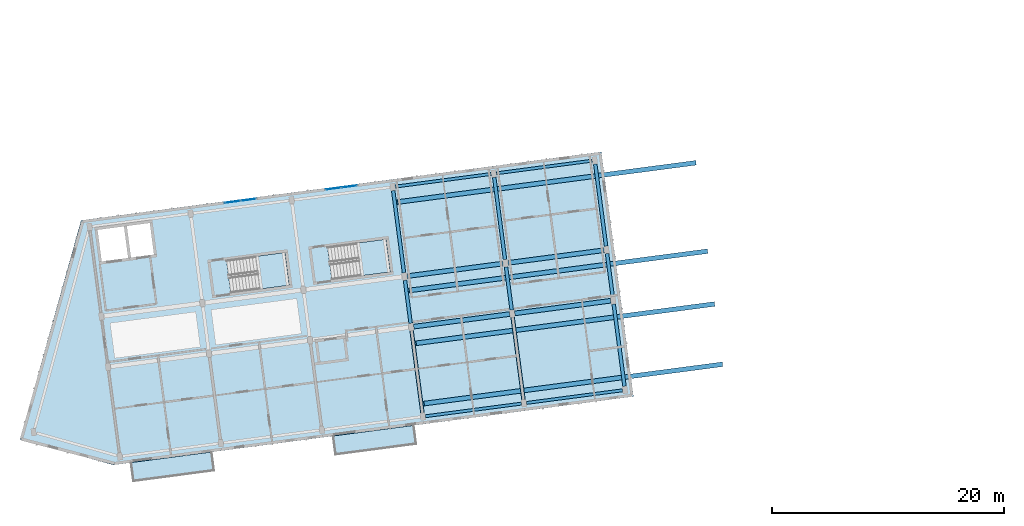
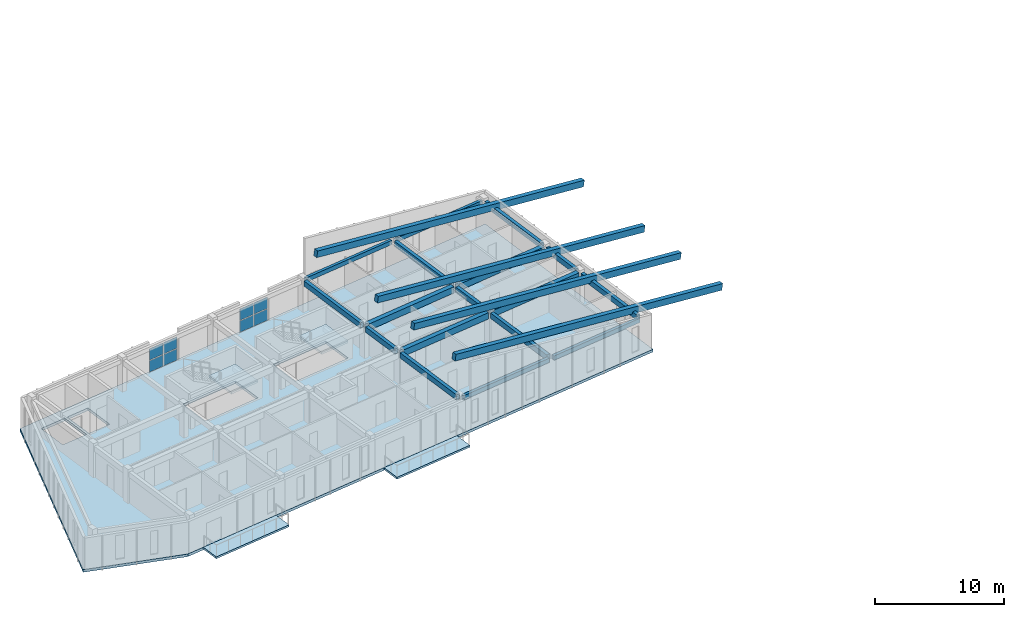
# One storey, part 4 of 16: 21 beams, 8 plates, 5 slabs, 4 elements without a shape of their own.
"""IFC4 building model written with IfcOpenShell, lengths in metres."""

from ifc_helpers import new_model, si_unit, direction, frame, origin, origin_2d, place, context, subcontext, project, spatial, polyline, rectangle, outline, extrude, material, layer, layer_set, material_profile, profile_set, type_object, element, aggregate, save


model = new_model("IFC4")

# Units and contexts
model_context = context("Model", 3, precision=1e-05, world=origin(), true_north=direction((0.0, 1.0)))
body_context = subcontext(model_context, "Body", "Model", "MODEL_VIEW")
ifc_project = project(units=[si_unit("LENGTHUNIT", "METRE"), si_unit("AREAUNIT", "SQUARE_METRE"), si_unit("VOLUMEUNIT", "CUBIC_METRE"), si_unit("PLANEANGLEUNIT", "RADIAN"), si_unit("MASSUNIT", "GRAM", prefix="KILO")], contexts=[model_context])

# Site, building, storey
site_placement = place(None, origin())
site = spatial("IfcSite", under=ifc_project, at=site_placement, CompositionType="ELEMENT")
building_placement = place(site_placement, origin())
building = spatial("IfcBuilding", under=site, at=building_placement, Name="Kestramere Prow Commons", CompositionType="ELEMENT")
storey_placement = place(building_placement, frame((0.0, 0.0, 40.89990234375)))
storey = spatial("IfcBuildingStorey", under=building, at=storey_placement, Name="L12", CompositionType="ELEMENT", Elevation=40.89990234375)

# Beams
ifc_material_1 = material(Name="Precast concrete C40/50", Category="concrete")
ifc_material_profile_1 = material_profile(ifc_material_1, rectangle(XDim=0.39990234375, YDim=0.60009765625, at=origin_2d()), Name="PC-BM 400x600")
ifc_profile_set_1 = profile_set([ifc_material_profile_1], Name="Precast concrete C40/50")
beam_type_1 = type_object("IfcBeamType", Name="BM-A1 PC-BM 400x600", PredefinedType="BEAM", material=ifc_profile_set_1)
for number, where, z_axis, x_axis, name in (
    (1, (36.5791015625, 83.20849609375, 2.7001953125), (0.991445635283, 0.13052031366, 0.0), (-0.13052031366, 0.991445635283, 0.0), "Block A L12 Longitudinal Beam 2-4"),
    (2, (45.3037109375, 84.357177734375, 2.7001953125), (0.991445635283, 0.13052031366, 0.0), (-0.13052031366, 0.991445635283, 0.0), "Block A L12 Longitudinal Beam 2-5"),
    (3, (36.0048828125, 87.57080078125, 2.7001953125), (0.991441851318, 0.130549053825, 0.0), (-0.130549053825, 0.991441851318, 0.0), "Block A L12 Longitudinal Beam 3-4"),
    (4, (44.7294921875, 88.719482421875, 2.7001953125), (0.991445635283, 0.13052031366, 0.0), (-0.13052031366, 0.991445635283, 0.0), "Block A L12 Longitudinal Beam 3-5"),
):
    element("IfcBeam", number, at=place(storey_placement, frame(where, z_axis=z_axis, x_axis=x_axis)), inside=storey, type_object=beam_type_1, Name=name, PredefinedType="BEAM", context=body_context, shape_type="SweptSolid", body=[
        extrude(rectangle(XDim=0.39990234375, YDim=0.60009765625, at=origin_2d()), origin(), (0.0, 0.0, 1.0), 8.35009765625),
    ])
ifc_material_profile_2 = material_profile(ifc_material_1, rectangle(XDim=0.300048828125, YDim=0.5, at=origin_2d()), Name="PC-BM 300x500")
ifc_profile_set_2 = profile_set([ifc_material_profile_2], Name="Precast concrete C40/50")
beam_type_2 = type_object("IfcBeamType", Name="BM-TIE-01 PC-BM 300x500", PredefinedType="BEAM", material=ifc_profile_set_2)
beam_1_placement = place(storey_placement, frame((37.331787109375, 75.76806640625, 2.75), z_axis=(-0.130537539388, 0.991443367425, 0.0), x_axis=(-0.991443367425, -0.130537539388, 0.0)))
element("IfcBeam", 5, at=beam_1_placement, inside=storey, type_object=beam_type_2, Name="Block A L12 Transverse Beam 4-1", PredefinedType="BEAM", context=body_context, shape_type="SweptSolid", body=[
    extrude(rectangle(XDim=0.300048828125, YDim=0.5, at=origin_2d()), origin(), (0.0, 0.0, 1.0), 7.150146484375),
])
beam_2_placement = place(storey_placement, frame((36.313720703125, 83.50146484375, 2.75), z_axis=(-0.130538720766, 0.991443211879, 0.0), x_axis=(-0.991443211879, -0.130538720766, 0.0)))
element("IfcBeam", 6, at=beam_2_placement, inside=storey, type_object=beam_type_2, Name="Block A L12 Transverse Beam 4-2", PredefinedType="BEAM", context=body_context, shape_type="SweptSolid", body=[
    extrude(rectangle(XDim=0.300048828125, YDim=0.5, at=origin_2d()), origin(), (0.0, 0.0, 1.0), 3.749755859375),
])
for number, where, z_axis, x_axis, name in (
    (7, (35.7392578125, 87.86376953125, 2.75), (-0.130503975686, 0.991447785983, 0.0), (-0.991447785983, -0.130503975686, 0.0), "Block A L12 Transverse Beam 4-3"),
    (8, (46.056396484375, 76.916748046875, 2.75), (-0.130503975686, 0.991447785983, 0.0), (-0.991447785983, -0.130503975686, 0.0), "Block A L12 Transverse Beam 5-1"),
):
    element("IfcBeam", number, at=place(storey_placement, frame(where, z_axis=z_axis, x_axis=x_axis)), inside=storey, type_object=beam_type_2, Name=name, PredefinedType="BEAM", context=body_context, shape_type="SweptSolid", body=[
        extrude(rectangle(XDim=0.300048828125, YDim=0.5, at=origin_2d()), origin(), (0.0, 0.0, 1.0), 7.14990234375),
    ])
beam_3_placement = place(storey_placement, frame((45.038330078125, 84.64990234375, 2.75), z_axis=(-0.130530295097, 0.991444321211, 0.0), x_axis=(-0.991444321211, -0.130530295097, 0.0)))
element("IfcBeam", 9, at=beam_3_placement, inside=storey, type_object=beam_type_2, Name="Block A L12 Transverse Beam 5-2", PredefinedType="BEAM", context=body_context, shape_type="SweptSolid", body=[
    extrude(rectangle(XDim=0.300048828125, YDim=0.5, at=origin_2d()), origin(), (0.0, 0.0, 1.0), 3.75),
])
for number, where, z_axis, x_axis, name in (
    (10, (44.464111328125, 89.012451171875, 2.75), (-0.130537539388, 0.991443367425, 0.0), (-0.991443367425, -0.130537539388, 0.0), "Block A L12 Transverse Beam 5-3"),
    (11, (54.78125, 78.0654296875, 2.75), (-0.130537539388, 0.991443367425, 0.0), (-0.991443367425, -0.130537539388, 0.0), "Block A L12 Transverse Beam 6-1"),
):
    element("IfcBeam", number, at=place(storey_placement, frame(where, z_axis=z_axis, x_axis=x_axis)), inside=storey, type_object=beam_type_2, Name=name, PredefinedType="BEAM", context=body_context, shape_type="SweptSolid", body=[
        extrude(rectangle(XDim=0.300048828125, YDim=0.5, at=origin_2d()), origin(), (0.0, 0.0, 1.0), 7.150146484375),
    ])
beam_4_placement = place(storey_placement, frame((53.762939453125, 85.798583984375, 2.75), z_axis=(-0.130466301114, 0.991452744347, 0.0), x_axis=(-0.991452744347, -0.130466301114, 0.0)))
element("IfcBeam", 12, at=beam_4_placement, inside=storey, type_object=beam_type_2, Name="Block A L12 Transverse Beam 6-2", PredefinedType="BEAM", context=body_context, shape_type="SweptSolid", body=[
    extrude(rectangle(XDim=0.300048828125, YDim=0.5, at=origin_2d()), origin(), (0.0, 0.0, 1.0), 3.75),
])
beam_5_placement = place(storey_placement, frame((53.188720703125, 90.160888671875, 2.75), z_axis=(-0.130537539388, 0.991443367425, 0.0), x_axis=(-0.991443367425, -0.130537539388, 0.0)))
element("IfcBeam", 13, at=beam_5_placement, inside=storey, type_object=beam_type_2, Name="Block A L12 Transverse Beam 6-3", PredefinedType="BEAM", context=body_context, shape_type="SweptSolid", body=[
    extrude(rectangle(XDim=0.300048828125, YDim=0.5, at=origin_2d()), origin(), (0.0, 0.0, 1.0), 7.150146484375),
])
ifc_material_profile_3 = material_profile(ifc_material_1, rectangle(XDim=0.39990234375, YDim=0.60009765625, at=origin_2d()), Name="PC-RB 400x600")
ifc_profile_set_3 = profile_set([ifc_material_profile_3], Name="Precast concrete C40/50")
beam_type_3 = type_object("IfcBeamType", Name="RB-PR-01 PC-RB 400x600", PredefinedType="BEAM", material=ifc_profile_set_3)
for number, where, z_axis, x_axis, name in (
    (14, (37.438720703125, 76.56396484375, 6.02490234375), (0.977599262342, 0.128704634459, -0.166537681435), (-0.130527438257, 0.991444697329, 0.0), "Block A Lower Prow Raking Rafter 1"),
    (15, (36.75341796875, 81.76904296875, 6.02490234375), (0.977599262342, 0.128704634459, -0.166537681435), (-0.130527438257, 0.991444697329, 0.0), "Block A Lower Prow Raking Rafter 2"),
    (16, (36.153076171875, 86.32958984375, 6.02490234375), (0.977599262342, 0.128704634459, -0.166537681435), (-0.130527438257, 0.991444697329, 0.0), "Block A Lower Prow Raking Rafter 3"),
):
    element("IfcBeam", number, at=place(storey_placement, frame(where, z_axis=z_axis, x_axis=x_axis)), inside=storey, type_object=beam_type_3, Name=name, PredefinedType="BEAM", context=body_context, shape_type="SweptSolid", body=[
        extrude(rectangle(XDim=0.39990234375, YDim=0.60009765625, at=origin_2d()), origin(), (0.0, 0.0, 1.0), 26.34814453125),
    ])
beam_6_placement = place(storey_placement, frame((35.14794921875, 93.9638671875, 6.02490234375), z_axis=(0.977600428164, 0.12869552194, -0.166537880037), x_axis=(-0.130518201121, 0.991445913389, 0.0)))
element("IfcBeam", 17, at=beam_6_placement, inside=storey, type_object=beam_type_3, Name="Block A Lower Prow Raking Rafter 4", PredefinedType="BEAM", context=body_context, shape_type="SweptSolid", body=[
    extrude(rectangle(XDim=0.39990234375, YDim=0.60009765625, at=origin_2d()), origin(), (0.0, 0.0, 1.0), 26.347900390625),
])
ifc_material_profile_4 = material_profile(ifc_material_1, rectangle(XDim=0.25, YDim=0.39990234375, at=origin_2d()), Name="PC-SP 250x400")
ifc_profile_set_4 = profile_set([ifc_material_profile_4], Name="Precast concrete C40/50")
beam_type_4 = type_object("IfcBeamType", Name="SP-EXT-01 PC-SP 250x400", PredefinedType="SPANDREL", material=ifc_profile_set_4)
for number, where, z_axis, x_axis, name in (
    (18, (37.59716796875, 75.475341796875, 2.800048828125), (0.991445635283, 0.13052031366, 0.0), (-0.13052031366, 0.991445635283, 0.0), "Block A L12 Longitudinal Beam 1-4"),
    (19, (46.322021484375, 76.623779296875, 2.800048828125), (0.991441851318, 0.130549053825, 0.0), (-0.130549053825, 0.991441851318, 0.0), "Block A L12 Longitudinal Beam 1-5"),
    (20, (34.98681640625, 95.30419921875, 2.800048828125), (0.991445635283, 0.13052031366, 0.0), (-0.13052031366, 0.991445635283, 0.0), "Block A L12 Longitudinal Beam 4-4"),
    (21, (43.71142578125, 96.452880859375, 2.800048828125), (0.991445635283, 0.13052031366, 0.0), (-0.13052031366, 0.991445635283, 0.0), "Block A L12 Longitudinal Beam 4-5"),
):
    element("IfcBeam", number, at=place(storey_placement, frame(where, z_axis=z_axis, x_axis=x_axis)), inside=storey, type_object=beam_type_4, Name=name, PredefinedType="SPANDREL", context=body_context, shape_type="SweptSolid", body=[
        extrude(rectangle(XDim=0.25, YDim=0.39990234375, at=origin_2d()), origin(), (0.0, 0.0, 1.0), 8.35009765625),
    ])

# Curtain wall, plates
ifc_material_2 = material(Name="Anodised Aluminium and Low-E Glass", Category="aluminium")
curtain_wall_type = type_object("IfcCurtainWallType", Name="CW-03 Glazed Curtain Wall 2830x2320", PredefinedType="USERDEFINED", material=ifc_material_2)
curtain_wall_1_placement = place(storey_placement, origin())
curtain_wall_1 = element("IfcCurtainWall", 22, at=curtain_wall_1_placement, inside=storey, type_object=curtain_wall_type, Name="Block A L12 Stairwell Vertical Glazing 2", ObjectType="GLAZED CURTAIN WALL", PredefinedType="USERDEFINED")
ifc_material_3 = material(Name="Low-E Laminated Double Glazing", Category="glass")
ifc_layer_1 = layer(ifc_material_3, 0.028076171875)
ifc_layer_set_1 = layer_set([ifc_layer_1], Name="Low-E Laminated Double Glazing")
plate_type = type_object("IfcPlateType", Name="CW-PNL-28", PredefinedType="CURTAIN_PANEL", material=ifc_layer_set_1)
plate_1_placement = place(storey_placement, frame((20.922607421875, 93.982177734375, 0.065185546875), z_axis=(0.0, 0.0, 1.0), x_axis=(0.991444867297, 0.13052614723, 0.0)))
plate_1 = element("IfcPlate", 23, at=plate_1_placement, type_object=plate_type, Name="CW-03 panel 1.1", PredefinedType="CURTAIN_PANEL", context=body_context, shape_type="SweptSolid", body=[
    extrude(rectangle(XDim=1.3173828125, YDim=0.028076171875, at=origin_2d()), origin(), (0.0, 0.0, 1.0), 1.0625),
])
plate_2_placement = place(storey_placement, frame((20.922607421875, 93.982177734375, 1.192626953125), z_axis=(0.0, 0.0, 1.0), x_axis=(0.991444867297, 0.13052614723, 0.0)))
plate_2 = element("IfcPlate", 24, at=plate_2_placement, type_object=plate_type, Name="CW-03 panel 1.2", PredefinedType="CURTAIN_PANEL", context=body_context, shape_type="SweptSolid", body=[
    extrude(rectangle(XDim=1.3173828125, YDim=0.028076171875, at=origin_2d()), origin(), (0.0, 0.0, 1.0), 1.0625),
])
plate_3_placement = place(storey_placement, frame((22.29345703125, 94.16259765625, 0.065185546875), z_axis=(0.0, 0.0, 1.0), x_axis=(0.991444867297, 0.13052614723, 0.0)))
plate_3 = element("IfcPlate", 25, at=plate_3_placement, type_object=plate_type, Name="CW-03 panel 2.1", PredefinedType="CURTAIN_PANEL", context=body_context, shape_type="SweptSolid", body=[
    extrude(rectangle(XDim=1.3173828125, YDim=0.028076171875, at=origin_2d()), origin(), (0.0, 0.0, 1.0), 1.0625),
])
plate_4_placement = place(storey_placement, frame((22.29345703125, 94.16259765625, 1.192626953125), z_axis=(0.0, 0.0, 1.0), x_axis=(0.991444867297, 0.13052614723, 0.0)))
plate_4 = element("IfcPlate", 26, at=plate_4_placement, type_object=plate_type, Name="CW-03 panel 2.2", PredefinedType="CURTAIN_PANEL", context=body_context, shape_type="SweptSolid", body=[
    extrude(rectangle(XDim=1.3173828125, YDim=0.028076171875, at=origin_2d()), origin(), (0.0, 0.0, 1.0), 1.0625),
])
aggregate(curtain_wall_1, [plate_1, plate_2, plate_3, plate_4])

curtain_wall_2_placement = place(storey_placement, origin())
curtain_wall_2 = element("IfcCurtainWall", 27, at=curtain_wall_2_placement, inside=storey, type_object=curtain_wall_type, Name="Block A L12 Stairwell Vertical Glazing 3", ObjectType="GLAZED CURTAIN WALL", PredefinedType="USERDEFINED")
plate_5_placement = place(storey_placement, frame((29.6474609375, 95.130859375, 0.065185546875), z_axis=(0.0, 0.0, 1.0), x_axis=(0.991444821571, 0.130526494555, 0.0)))
plate_5 = element("IfcPlate", 28, at=plate_5_placement, type_object=plate_type, Name="CW-03 panel 1.1", PredefinedType="CURTAIN_PANEL", context=body_context, shape_type="SweptSolid", body=[
    extrude(rectangle(XDim=1.3173828125, YDim=0.028076171875, at=origin_2d()), origin(), (0.0, 0.0, 1.0), 1.0625),
])
plate_6_placement = place(storey_placement, frame((29.6474609375, 95.130859375, 1.192626953125), z_axis=(0.0, 0.0, 1.0), x_axis=(0.991444821571, 0.130526494555, 0.0)))
plate_6 = element("IfcPlate", 29, at=plate_6_placement, type_object=plate_type, Name="CW-03 panel 1.2", PredefinedType="CURTAIN_PANEL", context=body_context, shape_type="SweptSolid", body=[
    extrude(rectangle(XDim=1.3173828125, YDim=0.028076171875, at=origin_2d()), origin(), (0.0, 0.0, 1.0), 1.0625),
])
plate_7_placement = place(storey_placement, frame((31.01806640625, 95.311279296875, 0.065185546875), z_axis=(0.0, 0.0, 1.0), x_axis=(0.991444821571, 0.130526494555, 0.0)))
plate_7 = element("IfcPlate", 30, at=plate_7_placement, type_object=plate_type, Name="CW-03 panel 2.1", PredefinedType="CURTAIN_PANEL", context=body_context, shape_type="SweptSolid", body=[
    extrude(rectangle(XDim=1.3173828125, YDim=0.028076171875, at=origin_2d()), origin(), (0.0, 0.0, 1.0), 1.0625),
])
plate_8_placement = place(storey_placement, frame((31.01806640625, 95.311279296875, 1.192626953125), z_axis=(0.0, 0.0, 1.0), x_axis=(0.991444821571, 0.130526494555, 0.0)))
plate_8 = element("IfcPlate", 31, at=plate_8_placement, type_object=plate_type, Name="CW-03 panel 2.2", PredefinedType="CURTAIN_PANEL", context=body_context, shape_type="SweptSolid", body=[
    extrude(rectangle(XDim=1.3173828125, YDim=0.028076171875, at=origin_2d()), origin(), (0.0, 0.0, 1.0), 1.0625),
])
aggregate(curtain_wall_2, [plate_5, plate_6, plate_7, plate_8])

# Slabs
ifc_layer_2 = layer(ifc_material_1, 0.179931640625)
ifc_layer_set_2 = layer_set([ifc_layer_2], Name="Precast concrete C40/50")
slab_type_1 = type_object("IfcSlabType", Name="SL-BALC-180", PredefinedType="FLOOR", material=ifc_layer_set_2)
slab_1_placement = place(storey_placement, frame((0.0, 0.0, -0.179931640625)))
element("IfcSlab", 32, at=slab_1_placement, inside=storey, type_object=slab_type_1, Name="Block A L12 Apartment Balcony Slab 1", PredefinedType="FLOOR", context=body_context, shape_type="SweptSolid", body=[
    extrude(outline(polyline([(12.343017578125, 69.83056640625), (19.382080078125, 70.75732421875), (19.166748046875, 72.393310546875), (12.127685546875, 71.466552734375), (12.343017578125, 69.83056640625)])), origin(), (0.0, 0.0, 1.0), 0.179931640625),
])
slab_2_placement = place(storey_placement, frame((0.0, 0.0, -0.179931640625)))
element("IfcSlab", 33, at=slab_2_placement, inside=storey, type_object=slab_type_1, Name="Block A L12 Apartment Balcony Slab 3", PredefinedType="FLOOR", context=body_context, shape_type="SweptSolid", body=[
    extrude(outline(polyline([(29.79248046875, 72.1279296875), (36.83154296875, 73.0546875), (36.6162109375, 74.6904296875), (29.576904296875, 73.763671875), (29.79248046875, 72.1279296875)])), origin(), (0.0, 0.0, 1.0), 0.179931640625),
])
ifc_layer_3 = layer(ifc_material_1, 0.25)
ifc_layer_set_3 = layer_set([ifc_layer_3], Name="Precast concrete C40/50")
slab_type_2 = type_object("IfcSlabType", Name="SL-HC-250", PredefinedType="FLOOR", material=ifc_layer_set_3)
slab_3_placement = place(storey_placement, frame((0.0, 0.0, -0.25)))
element("IfcSlab", 34, at=slab_3_placement, inside=storey, type_object=slab_type_2, Name="Block A L12 Hollowcore Floor Slab", PredefinedType="FLOOR", context=body_context, shape_type="SweptSolid", body=[
    extrude(outline(polyline([(2.58203125, 73.48779296875), (10.640380859375, 71.270751953125), (55.552734375, 77.18359375), (52.772705078125, 98.30126953125), (7.860107421875, 92.388427734375), (2.58203125, 73.48779296875)]), holes=[polyline([(9.638427734375, 88.84033203125), (11.9189453125, 89.140380859375), (11.559814453125, 91.866943359375), (9.279541015625, 91.566650390625), (9.638427734375, 88.84033203125)]), polyline([(12.166748046875, 89.173095703125), (14.149658203125, 89.43408203125), (13.790771484375, 92.16064453125), (11.807861328125, 91.899658203125), (12.166748046875, 89.173095703125)]), polyline([(20.78857421875, 86.122314453125), (25.844970703125, 86.7880859375), (25.47314453125, 89.61376953125), (20.416748046875, 88.947998046875), (20.78857421875, 86.122314453125)]), polyline([(29.513427734375, 87.27099609375), (34.56982421875, 87.936767578125), (34.19775390625, 90.76220703125), (29.141357421875, 90.0966796875), (29.513427734375, 87.27099609375)])]), origin(), (0.0, 0.0, 1.0), 0.25),
])

# Stair, slab
ifc_material_4 = material(Name="Concrete C40/50", Category="concrete")
stair_type = type_object("IfcStairType", Name="ST-DOG-1350", PredefinedType="HALF_TURN_STAIR", material=ifc_material_4)
stair_1_placement = place(storey_placement, origin())
stair_1 = element("IfcStair", 35, at=stair_1_placement, inside=storey, type_object=stair_type, Name="L12 Block A Exit Stair 1", PredefinedType="HALF_TURN_STAIR")
ifc_layer_4 = layer(ifc_material_4, 0.199951171875)
ifc_layer_set_4 = layer_set([ifc_layer_4], Name="Concrete C40/50")
slab_type_3 = type_object("IfcSlabType", Name="SL-ST-LAND-200", PredefinedType="LANDING", material=ifc_layer_set_4)
slab_4_placement = place(storey_placement, frame((0.0, 0.0, 1.425048828125)))
slab_4 = element("IfcSlab", 36, at=slab_4_placement, type_object=slab_type_3, Name="ST-A1 landing 1", PredefinedType="LANDING", context=body_context, shape_type="SweptSolid", body=[
    extrude(outline(polyline([(23.287109375, 86.451416015625), (25.844970703125, 86.7880859375), (25.47314453125, 89.61376953125), (22.9150390625, 89.27685546875), (23.287109375, 86.451416015625)])), origin(), (0.0, 0.0, 1.0), 0.199951171875),
])
aggregate(stair_1, [slab_4])

stair_2_placement = place(storey_placement, origin())
stair_2 = element("IfcStair", 37, at=stair_2_placement, inside=storey, type_object=stair_type, Name="L12 Block A Exit Stair 2", PredefinedType="HALF_TURN_STAIR")
slab_5_placement = place(storey_placement, frame((0.0, 0.0, 1.425048828125)))
slab_5 = element("IfcSlab", 38, at=slab_5_placement, type_object=slab_type_3, Name="ST-A2 landing 1", PredefinedType="LANDING", context=body_context, shape_type="SweptSolid", body=[
    extrude(outline(polyline([(32.011962890625, 87.599853515625), (34.56982421875, 87.936767578125), (34.19775390625, 90.76220703125), (31.639892578125, 90.425537109375), (32.011962890625, 87.599853515625)])), origin(), (0.0, 0.0, 1.0), 0.199951171875),
])
aggregate(stair_2, [slab_5])

save(model, "model.ifc")
